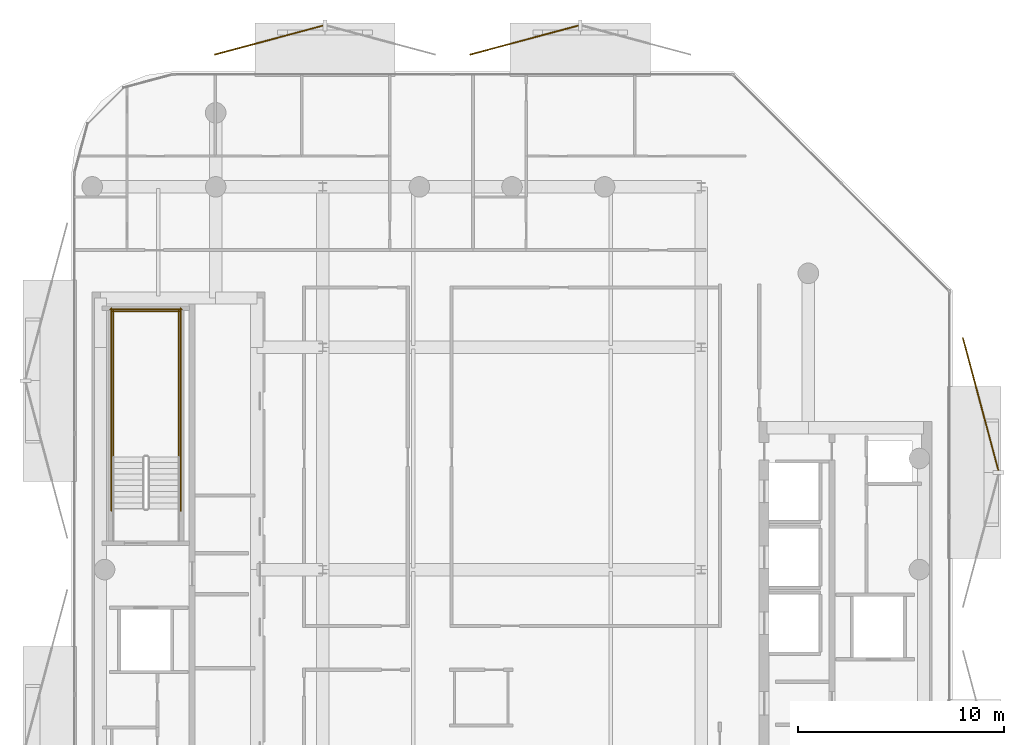
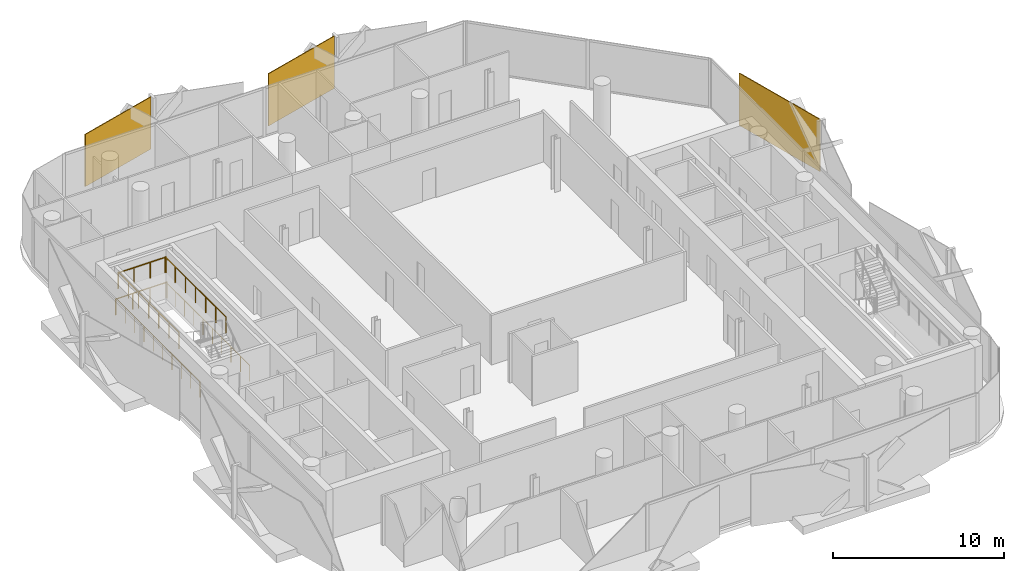
# One storey, part 16 of 16: 6 railings, 3 coverings.
"""IFC4 building model written with IfcOpenShell, lengths in metres."""

from ifc_helpers import new_model, si_unit, direction, frame, origin, origin_2d, place, context, subcontext, project, spatial, rectangle, circle, extrude, material, layer, layer_set, type_object, element, save


model = new_model("IFC4")

# Units and contexts
model_context = context("Model", 3, precision=1e-05, world=origin(), true_north=direction((0.0, 1.0)))
body_context = subcontext(model_context, "Body", "Model", "MODEL_VIEW")
ifc_project = project(units=[si_unit("LENGTHUNIT", "METRE"), si_unit("AREAUNIT", "SQUARE_METRE"), si_unit("VOLUMEUNIT", "CUBIC_METRE"), si_unit("PLANEANGLEUNIT", "RADIAN"), si_unit("MASSUNIT", "GRAM", prefix="KILO")], contexts=[model_context])

# Site, building, storey
site_placement = place(None, origin())
site = spatial("IfcSite", under=ifc_project, at=site_placement, CompositionType="ELEMENT")
building_placement = place(site_placement, origin())
building = spatial("IfcBuilding", under=site, at=building_placement, Name="Khairoan Windgate Tower", CompositionType="ELEMENT")
storey_placement = place(building_placement, frame((0.0, 0.0, 281.39990234375)))
storey = spatial("IfcBuildingStorey", under=building, at=storey_placement, Name="L67", CompositionType="ELEMENT", Elevation=281.39990234375)

# Coverings
ifc_material_1 = material(Name="Anodised Bronze Aluminium 6063-T6", Category="aluminium")
ifc_layer = layer(ifc_material_1, 0.054931640625, Name="Anodised Bronze Aluminium 6063-T6")
ifc_layer_set = layer_set([ifc_layer], Name="Anodised Bronze Aluminium 6063-T6")
covering_type = type_object("IfcCoveringType", Name="Perforated Bronze-Ceramic Folded Solar Screen Cladding BSC-1", PredefinedType="CLADDING", material=ifc_layer_set)
for number, where, z_axis, x_axis, name in (
    (1, (-11.814208984375, 25.733642578125, -0.10009765625), (0.0, 0.0, 1.0), (0.965925826289, 0.258819045103, 0.0), "L67 Folded Bronze Solar Screen Facet 466L"),
    (2, (0.59228515625, 25.733642578125, -0.10009765625), (0.0, 0.0, 1.0), (0.965925826289, 0.258819045103, 0.0), "L67 Folded Bronze Solar Screen Facet 467L"),
):
    element("IfcCovering", number, at=place(storey_placement, frame(where, z_axis=z_axis, x_axis=x_axis)), inside=storey, type_object=covering_type, Name=name, PredefinedType="CLADDING", context=body_context, shape_type="SweptSolid", body=[
        extrude(rectangle(XDim=5.458984375, YDim=0.054931640625, at=origin_2d()), origin(), (0.0, 0.0, 1.0), 3.739990234375),
    ])
covering_placement = place(storey_placement, frame((22.774169921875, 8.040283203125, -0.10009765625), z_axis=(0.0, 0.0, 1.0), x_axis=(0.258819045103, -0.965925826289, 0.0)))
element("IfcCovering", 3, at=covering_placement, inside=storey, type_object=covering_type, Name="L67 Folded Bronze Solar Screen Facet 468L", PredefinedType="CLADDING", context=body_context, shape_type="SweptSolid", body=[
    extrude(rectangle(XDim=6.69091796875, YDim=0.054931640625, at=origin_2d()), origin(), (0.0, 0.0, 1.0), 3.739990234375),
])

# Railings
ifc_material_2 = material(Name="Steel S355", Category="steel")
railing_type = type_object("IfcRailingType", Name="Stairwell Safety Guardrail SGR-1150", PredefinedType="GUARDRAIL", material=ifc_material_2)
for number, where, name in (
    (4, (-16.199951171875, 5.47998046875, 1.900146484375), "L67 ST2 stair guard 3"),
    (5, (-19.3701171875, 5.47998046875, 1.900146484375), "L67 ST2 stair guard 4"),
):
    element("IfcRailing", number, at=place(storey_placement, frame(where)), inside=storey, type_object=railing_type, Name=name, PredefinedType="GUARDRAIL", context=body_context, shape_type="SweptSolid", body=[
        extrude(circle(Radius=0.02392578125, at=origin_2d()), frame((0.0, 0.0, 1.1259765625), z_axis=(0.0, 1.0, 0.0), x_axis=(-1.0, 0.0, 0.0)), (0.0, 0.0, 1.0), 7.1201171875),
        extrude(circle(Radius=0.02099609375, at=origin_2d()), origin(), (0.0, 0.0, 1.0), 1.101806640625),
        extrude(circle(Radius=0.02099609375, at=origin_2d()), frame((0.0, 1.186767578125, 0.0)), (0.0, 0.0, 1.0), 1.101806640625),
        extrude(circle(Radius=0.02099609375, at=origin_2d()), frame((0.0, 2.373291015625, 0.0)), (0.0, 0.0, 1.0), 1.101806640625),
        extrude(circle(Radius=0.02099609375, at=origin_2d()), frame((0.0, 3.56005859375, 0.0)), (0.0, 0.0, 1.0), 1.101806640625),
        extrude(circle(Radius=0.02099609375, at=origin_2d()), frame((0.0, 4.746826171875, 0.0)), (0.0, 0.0, 1.0), 1.101806640625),
        extrude(circle(Radius=0.02099609375, at=origin_2d()), frame((0.0, 5.933349609375, 0.0)), (0.0, 0.0, 1.0), 1.101806640625),
        extrude(circle(Radius=0.02099609375, at=origin_2d()), frame((0.0, 7.1201171875, 0.0)), (0.0, 0.0, 1.0), 1.101806640625),
    ])
railing_1_placement = place(storey_placement, frame((-16.14990234375, 12.550048828125, 1.900146484375)))
element("IfcRailing", 6, at=railing_1_placement, inside=storey, type_object=railing_type, Name="L67 ST2 stair guard 5", PredefinedType="GUARDRAIL", context=body_context, shape_type="SweptSolid", body=[
    extrude(circle(Radius=0.02392578125, at=origin_2d()), frame((0.0, 0.0, 1.1259765625), z_axis=(-1.0, 0.0, 0.0), x_axis=(0.0, -1.0, 0.0)), (0.0, 0.0, 1.0), 3.27001953125),
    extrude(circle(Radius=0.02099609375, at=origin_2d()), origin(), (0.0, 0.0, 1.0), 1.101806640625),
    extrude(circle(Radius=0.02099609375, at=origin_2d()), frame((-1.090087890625, 0.0, 0.0)), (0.0, 0.0, 1.0), 1.101806640625),
    extrude(circle(Radius=0.02099609375, at=origin_2d()), frame((-2.179931640625, 0.0, 0.0)), (0.0, 0.0, 1.0), 1.101806640625),
    extrude(circle(Radius=0.02099609375, at=origin_2d()), frame((-3.27001953125, 0.0, 0.0)), (0.0, 0.0, 1.0), 1.101806640625),
])
for number, where, name in (
    (7, (-16.10009765625, 2.860107421875, 0.0), "L67 ST2 stair guard 10"),
    (8, (-19.469970703125, 2.860107421875, 0.0), "L67 ST2 stair guard 11"),
):
    element("IfcRailing", number, at=place(storey_placement, frame(where)), inside=storey, type_object=railing_type, Name=name, PredefinedType="GUARDRAIL", context=body_context, shape_type="SweptSolid", body=[
        extrude(circle(Radius=0.02392578125, at=origin_2d()), frame((0.0, 0.0, 1.1259765625), z_axis=(0.0, 1.0, 0.0), x_axis=(-1.0, 0.0, 0.0)), (0.0, 0.0, 1.0), 9.83984375),
        extrude(circle(Radius=0.02099609375, at=origin_2d()), origin(), (0.0, 0.0, 1.0), 1.101806640625),
        extrude(circle(Radius=0.02099609375, at=origin_2d()), frame((0.0, 1.09326171875, 0.0)), (0.0, 0.0, 1.0), 1.101806640625),
        extrude(circle(Radius=0.02099609375, at=origin_2d()), frame((0.0, 2.1865234375, 0.0)), (0.0, 0.0, 1.0), 1.101806640625),
        extrude(circle(Radius=0.02099609375, at=origin_2d()), frame((0.0, 3.280029296875, 0.0)), (0.0, 0.0, 1.0), 1.101806640625),
        extrude(circle(Radius=0.02099609375, at=origin_2d()), frame((0.0, 4.373291015625, 0.0)), (0.0, 0.0, 1.0), 1.101806640625),
        extrude(circle(Radius=0.02099609375, at=origin_2d()), frame((0.0, 5.466552734375, 0.0)), (0.0, 0.0, 1.0), 1.101806640625),
        extrude(circle(Radius=0.02099609375, at=origin_2d()), frame((0.0, 6.559814453125, 0.0)), (0.0, 0.0, 1.0), 1.101806640625),
        extrude(circle(Radius=0.02099609375, at=origin_2d()), frame((0.0, 7.6533203125, 0.0)), (0.0, 0.0, 1.0), 1.101806640625),
        extrude(circle(Radius=0.02099609375, at=origin_2d()), frame((0.0, 8.74658203125, 0.0)), (0.0, 0.0, 1.0), 1.101806640625),
        extrude(circle(Radius=0.02099609375, at=origin_2d()), frame((0.0, 9.83984375, 0.0)), (0.0, 0.0, 1.0), 1.101806640625),
    ])
railing_2_placement = place(storey_placement, frame((-16.050048828125, 12.64990234375, 0.0)))
element("IfcRailing", 9, at=railing_2_placement, inside=storey, type_object=railing_type, Name="L67 ST2 stair guard 12", PredefinedType="GUARDRAIL", context=body_context, shape_type="SweptSolid", body=[
    extrude(circle(Radius=0.02392578125, at=origin_2d()), frame((0.0, 0.0, 1.1259765625), z_axis=(-1.0, 0.0, 0.0), x_axis=(0.0, -1.0, 0.0)), (0.0, 0.0, 1.0), 3.469970703125),
    extrude(circle(Radius=0.02099609375, at=origin_2d()), origin(), (0.0, 0.0, 1.0), 1.101806640625),
    extrude(circle(Radius=0.02099609375, at=origin_2d()), frame((-1.15673828125, 0.0, 0.0)), (0.0, 0.0, 1.0), 1.101806640625),
    extrude(circle(Radius=0.02099609375, at=origin_2d()), frame((-2.313232421875, 0.0, 0.0)), (0.0, 0.0, 1.0), 1.101806640625),
    extrude(circle(Radius=0.02099609375, at=origin_2d()), frame((-3.469970703125, 0.0, 0.0)), (0.0, 0.0, 1.0), 1.101806640625),
])

save(model, "model.ifc")
